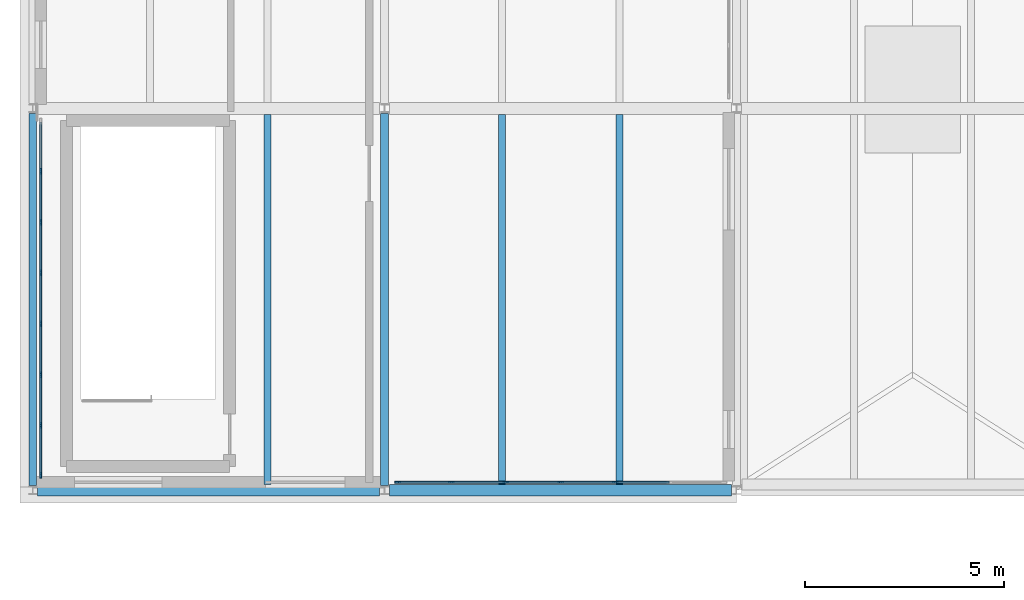
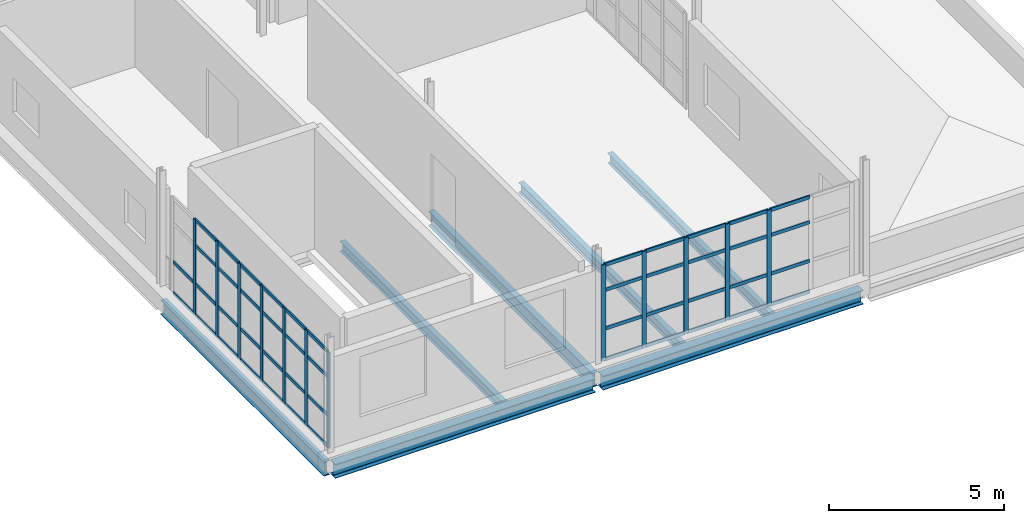
# One storey, part 3 of 16: 58 members, 7 beams, 2 elements without a shape of their own.
"""IFC4 building model written with IfcOpenShell, lengths in metres."""

from ifc_helpers import new_model, si_unit, direction, frame, origin, origin_2d, place, context, subcontext, project, spatial, rectangle, i_section, extrude, material, layer, layer_set, material_profile, profile_set, type_object, element, aggregate, save


model = new_model("IFC4")

# Units and contexts
model_context = context("Model", 3, precision=1e-05, world=origin(), true_north=direction((0.0, 1.0)))
body_context = subcontext(model_context, "Body", "Model", "MODEL_VIEW")
ifc_project = project(units=[si_unit("LENGTHUNIT", "METRE"), si_unit("AREAUNIT", "SQUARE_METRE"), si_unit("VOLUMEUNIT", "CUBIC_METRE"), si_unit("PLANEANGLEUNIT", "RADIAN"), si_unit("MASSUNIT", "GRAM", prefix="KILO")], contexts=[model_context])

# Site, building, storey
site_placement = place(None, origin())
site = spatial("IfcSite", under=ifc_project, at=site_placement, CompositionType="ELEMENT")
building_placement = place(site_placement, origin())
building = spatial("IfcBuilding", under=site, at=building_placement, Name="Yeouljin Market Hall", CompositionType="ELEMENT")
storey_placement = place(building_placement, frame((0.0, 0.0, 19.199951171875)))
storey = spatial("IfcBuildingStorey", under=building, at=storey_placement, Name="L04", CompositionType="ELEMENT", Elevation=19.199951171875)

# Beams
ifc_material_1 = material(Name="Steel SM355", Category="steel")
ifc_material_profile_1 = material_profile(ifc_material_1, i_section(OverallWidth=0.199951171875, OverallDepth=0.5, WebThickness=0.010009765625, FlangeThickness=0.01611328125, FilletRadius=0.02001953125, at=origin_2d()), Name="H-500x200x10x16")
ifc_profile_set_1 = profile_set([ifc_material_profile_1], Name="Steel SM355")
beam_type_1 = type_object("IfcBeamType", Name="Beam_H-500x200x10x16", PredefinedType="BEAM", material=ifc_profile_set_1)
for number, where, z_axis, x_axis, name in (
    (1, (0.0, 0.125, -0.514892578125), (0.0, 1.0, 0.0), (-1.0, 0.0, 0.0), "Primary beam BM-L04-Y027"),
    (2, (8.85009765625, 0.125, -0.514892578125), (0.0, 1.0, 0.0), (-1.0, 0.0, 0.0), "Primary beam BM-L04-Y031"),
):
    element("IfcBeam", number, at=place(storey_placement, frame(where, z_axis=z_axis, x_axis=x_axis)), inside=storey, type_object=beam_type_1, Name=name, PredefinedType="BEAM", context=body_context, shape_type="SweptSolid", body=[
        extrude(i_section(OverallWidth=0.199951171875, OverallDepth=0.5, WebThickness=0.010009765625, FlangeThickness=0.01611328125, FilletRadius=0.02001953125, at=origin_2d()), origin(), (0.0, 0.0, 1.0), 9.35009765625),
    ])

# Curtain wall, members
ifc_material_2 = material(Name="Thermally Broken Aluminium", Category="aluminium")
ifc_layer = layer(ifc_material_2, 0.14990234375)
ifc_layer_set = layer_set([ifc_layer], Name="Thermally Broken Aluminium")
curtain_wall_type = type_object("IfcCurtainWallType", Name="CW_AcademyRibbon_System", PredefinedType="USERDEFINED", material=ifc_layer_set)
curtain_wall_1_placement = place(storey_placement, origin())
curtain_wall_1 = element("IfcCurtainWall", 3, at=curtain_wall_1_placement, inside=storey, type_object=curtain_wall_type, Name="Curtain wall CW-L04-W01", ObjectType="CURTAIN WALL", PredefinedType="USERDEFINED")
ifc_material_3 = material(Name="Thermally Broken Aluminium", Category="aluminium")
ifc_material_profile_2 = material_profile(ifc_material_3, rectangle(XDim=0.048095703125, YDim=0.14990234375, at=origin_2d()), Name="CW-MULL-48x150")
ifc_profile_set_2 = profile_set([ifc_material_profile_2], Name="Thermally Broken Aluminium")
member_type_1 = type_object("IfcMemberType", Name="CWMullion_48x150", PredefinedType="MULLION", material=ifc_profile_set_2)
member_1_placement = place(storey_placement, frame((14.64990234375, 0.199951171875, 0.0), z_axis=(0.0, 0.0, 1.0), x_axis=(0.0, -1.0, 0.0)))
member_1 = element("IfcMember", 4, at=member_1_placement, type_object=member_type_1, Name="CW-05 mullion 3", PredefinedType="MULLION", context=body_context, shape_type="SweptSolid", body=[
    extrude(rectangle(XDim=0.048095703125, YDim=0.14990234375, at=origin_2d()), origin(), (0.0, 0.0, 1.0), 3.35009765625),
])
member_2_placement = place(storey_placement, frame((13.27490234375, 0.199951171875, 0.0), z_axis=(0.0, 0.0, 1.0), x_axis=(0.0, -1.0, 0.0)))
member_2 = element("IfcMember", 5, at=member_2_placement, type_object=member_type_1, Name="CW-05 mullion 4", PredefinedType="MULLION", context=body_context, shape_type="SweptSolid", body=[
    extrude(rectangle(XDim=0.048095703125, YDim=0.14990234375, at=origin_2d()), origin(), (0.0, 0.0, 1.0), 3.35009765625),
])
member_3_placement = place(storey_placement, frame((11.89990234375, 0.199951171875, 0.0), z_axis=(0.0, 0.0, 1.0), x_axis=(0.0, -1.0, 0.0)))
member_3 = element("IfcMember", 6, at=member_3_placement, type_object=member_type_1, Name="CW-05 mullion 5", PredefinedType="MULLION", context=body_context, shape_type="SweptSolid", body=[
    extrude(rectangle(XDim=0.048095703125, YDim=0.14990234375, at=origin_2d()), origin(), (0.0, 0.0, 1.0), 3.35009765625),
])
member_4_placement = place(storey_placement, frame((10.52490234375, 0.199951171875, 0.0), z_axis=(0.0, 0.0, 1.0), x_axis=(0.0, -1.0, 0.0)))
member_4 = element("IfcMember", 7, at=member_4_placement, type_object=member_type_1, Name="CW-05 mullion 6", PredefinedType="MULLION", context=body_context, shape_type="SweptSolid", body=[
    extrude(rectangle(XDim=0.048095703125, YDim=0.14990234375, at=origin_2d()), origin(), (0.0, 0.0, 1.0), 3.35009765625),
])
member_5_placement = place(storey_placement, frame((9.174072265625, 0.199951171875, 0.0), z_axis=(0.0, 0.0, 1.0), x_axis=(0.0, -1.0, 0.0)))
member_5 = element("IfcMember", 8, at=member_5_placement, type_object=member_type_1, Name="CW-05 mullion 7", PredefinedType="MULLION", context=body_context, shape_type="SweptSolid", body=[
    extrude(rectangle(XDim=0.048095703125, YDim=0.14990234375, at=origin_2d()), origin(), (0.0, 0.0, 1.0), 3.35009765625),
])

curtain_wall_2_placement = place(storey_placement, origin())
curtain_wall_2 = element("IfcCurtainWall", 9, at=curtain_wall_2_placement, inside=storey, type_object=curtain_wall_type, Name="Curtain wall CW-L04-W03", ObjectType="CURTAIN WALL", PredefinedType="USERDEFINED")
member_6_placement = place(storey_placement, frame((0.199951171875, 0.3740234375, 0.0), z_axis=(0.0, 0.0, 1.0), x_axis=(-1.0, 0.0, 0.0)))
member_6 = element("IfcMember", 10, at=member_6_placement, type_object=member_type_1, Name="CW-05 mullion 1", PredefinedType="MULLION", context=body_context, shape_type="SweptSolid", body=[
    extrude(rectangle(XDim=0.048095703125, YDim=0.14990234375, at=origin_2d()), origin(), (0.0, 0.0, 1.0), 3.35009765625),
])
member_7_placement = place(storey_placement, frame((0.199951171875, 1.628662109375, 0.0), z_axis=(0.0, 0.0, 1.0), x_axis=(-1.0, 0.0, 0.0)))
member_7 = element("IfcMember", 11, at=member_7_placement, type_object=member_type_1, Name="CW-05 mullion 2", PredefinedType="MULLION", context=body_context, shape_type="SweptSolid", body=[
    extrude(rectangle(XDim=0.048095703125, YDim=0.14990234375, at=origin_2d()), origin(), (0.0, 0.0, 1.0), 3.35009765625),
])
member_8_placement = place(storey_placement, frame((0.199951171875, 2.9072265625, 0.0), z_axis=(0.0, 0.0, 1.0), x_axis=(-1.0, 0.0, 0.0)))
member_8 = element("IfcMember", 12, at=member_8_placement, type_object=member_type_1, Name="CW-05 mullion 3", PredefinedType="MULLION", context=body_context, shape_type="SweptSolid", body=[
    extrude(rectangle(XDim=0.048095703125, YDim=0.14990234375, at=origin_2d()), origin(), (0.0, 0.0, 1.0), 3.35009765625),
])
member_9_placement = place(storey_placement, frame((0.199951171875, 4.185791015625, 0.0), z_axis=(0.0, 0.0, 1.0), x_axis=(-1.0, 0.0, 0.0)))
member_9 = element("IfcMember", 13, at=member_9_placement, type_object=member_type_1, Name="CW-05 mullion 4", PredefinedType="MULLION", context=body_context, shape_type="SweptSolid", body=[
    extrude(rectangle(XDim=0.048095703125, YDim=0.14990234375, at=origin_2d()), origin(), (0.0, 0.0, 1.0), 3.35009765625),
])
member_10_placement = place(storey_placement, frame((0.199951171875, 5.46435546875, 0.0), z_axis=(0.0, 0.0, 1.0), x_axis=(-1.0, 0.0, 0.0)))
member_10 = element("IfcMember", 14, at=member_10_placement, type_object=member_type_1, Name="CW-05 mullion 5", PredefinedType="MULLION", context=body_context, shape_type="SweptSolid", body=[
    extrude(rectangle(XDim=0.048095703125, YDim=0.14990234375, at=origin_2d()), origin(), (0.0, 0.0, 1.0), 3.35009765625),
])
member_11_placement = place(storey_placement, frame((0.199951171875, 6.742919921875, 0.0), z_axis=(0.0, 0.0, 1.0), x_axis=(-1.0, 0.0, 0.0)))
member_11 = element("IfcMember", 15, at=member_11_placement, type_object=member_type_1, Name="CW-05 mullion 6", PredefinedType="MULLION", context=body_context, shape_type="SweptSolid", body=[
    extrude(rectangle(XDim=0.048095703125, YDim=0.14990234375, at=origin_2d()), origin(), (0.0, 0.0, 1.0), 3.35009765625),
])
member_12_placement = place(storey_placement, frame((0.199951171875, 8.021484375, 0.0), z_axis=(0.0, 0.0, 1.0), x_axis=(-1.0, 0.0, 0.0)))
member_12 = element("IfcMember", 16, at=member_12_placement, type_object=member_type_1, Name="CW-05 mullion 7", PredefinedType="MULLION", context=body_context, shape_type="SweptSolid", body=[
    extrude(rectangle(XDim=0.048095703125, YDim=0.14990234375, at=origin_2d()), origin(), (0.0, 0.0, 1.0), 3.35009765625),
])

# Member
ifc_material_4 = material(Name="Thermally Broken Aluminium", Category="aluminium")
ifc_material_profile_3 = material_profile(ifc_material_4, rectangle(XDim=0.048095703125, YDim=0.1201171875, at=origin_2d()), Name="CW-TRAN-48x120")
ifc_profile_set_3 = profile_set([ifc_material_profile_3], Name="Thermally Broken Aluminium")
member_type_2 = type_object("IfcMemberType", Name="CWTransom_48x120", PredefinedType="USERDEFINED", material=ifc_profile_set_3)
member_13_placement = place(storey_placement, frame((16.0009765625, 0.199951171875, 0.024169921875), z_axis=(-1.0, 0.0, 0.0), x_axis=(0.0, -1.0, 0.0)))
member_13 = element("IfcMember", 17, at=member_13_placement, type_object=member_type_2, Name="CW-05 transom 2.1", ObjectType="TRANSOM", PredefinedType="USERDEFINED", context=body_context, shape_type="SweptSolid", body=[
    extrude(rectangle(XDim=0.048095703125, YDim=0.1201171875, at=origin_2d()), origin(), (0.0, 0.0, 1.0), 1.326904296875),
])

member_14_placement = place(storey_placement, frame((16.0009765625, 0.199951171875, 1.10009765625), z_axis=(-1.0, 0.0, 0.0), x_axis=(0.0, -1.0, 0.0)))
member_14 = element("IfcMember", 18, at=member_14_placement, type_object=member_type_2, Name="CW-05 transom 2.2", ObjectType="TRANSOM", PredefinedType="USERDEFINED", context=body_context, shape_type="SweptSolid", body=[
    extrude(rectangle(XDim=0.048095703125, YDim=0.1201171875, at=origin_2d()), origin(), (0.0, 0.0, 1.0), 1.326904296875),
])

member_15_placement = place(storey_placement, frame((16.0009765625, 0.199951171875, 2.449951171875), z_axis=(-1.0, 0.0, 0.0), x_axis=(0.0, -1.0, 0.0)))
member_15 = element("IfcMember", 19, at=member_15_placement, type_object=member_type_2, Name="CW-05 transom 2.3", ObjectType="TRANSOM", PredefinedType="USERDEFINED", context=body_context, shape_type="SweptSolid", body=[
    extrude(rectangle(XDim=0.048095703125, YDim=0.1201171875, at=origin_2d()), origin(), (0.0, 0.0, 1.0), 1.326904296875),
])

member_16_placement = place(storey_placement, frame((16.0009765625, 0.199951171875, 3.325927734375), z_axis=(-1.0, 0.0, 0.0), x_axis=(0.0, -1.0, 0.0)))
member_16 = element("IfcMember", 20, at=member_16_placement, type_object=member_type_2, Name="CW-05 transom 2.4", ObjectType="TRANSOM", PredefinedType="USERDEFINED", context=body_context, shape_type="SweptSolid", body=[
    extrude(rectangle(XDim=0.048095703125, YDim=0.1201171875, at=origin_2d()), origin(), (0.0, 0.0, 1.0), 1.326904296875),
])

member_17_placement = place(storey_placement, frame((14.6259765625, 0.199951171875, 0.024169921875), z_axis=(-1.0, 0.0, 0.0), x_axis=(0.0, -1.0, 0.0)))
member_17 = element("IfcMember", 21, at=member_17_placement, type_object=member_type_2, Name="CW-05 transom 3.1", ObjectType="TRANSOM", PredefinedType="USERDEFINED", context=body_context, shape_type="SweptSolid", body=[
    extrude(rectangle(XDim=0.048095703125, YDim=0.1201171875, at=origin_2d()), origin(), (0.0, 0.0, 1.0), 1.326904296875),
])

member_18_placement = place(storey_placement, frame((14.6259765625, 0.199951171875, 1.10009765625), z_axis=(-1.0, 0.0, 0.0), x_axis=(0.0, -1.0, 0.0)))
member_18 = element("IfcMember", 22, at=member_18_placement, type_object=member_type_2, Name="CW-05 transom 3.2", ObjectType="TRANSOM", PredefinedType="USERDEFINED", context=body_context, shape_type="SweptSolid", body=[
    extrude(rectangle(XDim=0.048095703125, YDim=0.1201171875, at=origin_2d()), origin(), (0.0, 0.0, 1.0), 1.326904296875),
])

member_19_placement = place(storey_placement, frame((14.6259765625, 0.199951171875, 2.449951171875), z_axis=(-1.0, 0.0, 0.0), x_axis=(0.0, -1.0, 0.0)))
member_19 = element("IfcMember", 23, at=member_19_placement, type_object=member_type_2, Name="CW-05 transom 3.3", ObjectType="TRANSOM", PredefinedType="USERDEFINED", context=body_context, shape_type="SweptSolid", body=[
    extrude(rectangle(XDim=0.048095703125, YDim=0.1201171875, at=origin_2d()), origin(), (0.0, 0.0, 1.0), 1.326904296875),
])

member_20_placement = place(storey_placement, frame((14.6259765625, 0.199951171875, 3.325927734375), z_axis=(-1.0, 0.0, 0.0), x_axis=(0.0, -1.0, 0.0)))
member_20 = element("IfcMember", 24, at=member_20_placement, type_object=member_type_2, Name="CW-05 transom 3.4", ObjectType="TRANSOM", PredefinedType="USERDEFINED", context=body_context, shape_type="SweptSolid", body=[
    extrude(rectangle(XDim=0.048095703125, YDim=0.1201171875, at=origin_2d()), origin(), (0.0, 0.0, 1.0), 1.326904296875),
])

member_21_placement = place(storey_placement, frame((13.2509765625, 0.199951171875, 0.024169921875), z_axis=(-1.0, 0.0, 0.0), x_axis=(0.0, -1.0, 0.0)))
member_21 = element("IfcMember", 25, at=member_21_placement, type_object=member_type_2, Name="CW-05 transom 4.1", ObjectType="TRANSOM", PredefinedType="USERDEFINED", context=body_context, shape_type="SweptSolid", body=[
    extrude(rectangle(XDim=0.048095703125, YDim=0.1201171875, at=origin_2d()), origin(), (0.0, 0.0, 1.0), 1.326904296875),
])

member_22_placement = place(storey_placement, frame((13.2509765625, 0.199951171875, 1.10009765625), z_axis=(-1.0, 0.0, 0.0), x_axis=(0.0, -1.0, 0.0)))
member_22 = element("IfcMember", 26, at=member_22_placement, type_object=member_type_2, Name="CW-05 transom 4.2", ObjectType="TRANSOM", PredefinedType="USERDEFINED", context=body_context, shape_type="SweptSolid", body=[
    extrude(rectangle(XDim=0.048095703125, YDim=0.1201171875, at=origin_2d()), origin(), (0.0, 0.0, 1.0), 1.326904296875),
])

member_23_placement = place(storey_placement, frame((13.2509765625, 0.199951171875, 2.449951171875), z_axis=(-1.0, 0.0, 0.0), x_axis=(0.0, -1.0, 0.0)))
member_23 = element("IfcMember", 27, at=member_23_placement, type_object=member_type_2, Name="CW-05 transom 4.3", ObjectType="TRANSOM", PredefinedType="USERDEFINED", context=body_context, shape_type="SweptSolid", body=[
    extrude(rectangle(XDim=0.048095703125, YDim=0.1201171875, at=origin_2d()), origin(), (0.0, 0.0, 1.0), 1.326904296875),
])

member_24_placement = place(storey_placement, frame((13.2509765625, 0.199951171875, 3.325927734375), z_axis=(-1.0, 0.0, 0.0), x_axis=(0.0, -1.0, 0.0)))
member_24 = element("IfcMember", 28, at=member_24_placement, type_object=member_type_2, Name="CW-05 transom 4.4", ObjectType="TRANSOM", PredefinedType="USERDEFINED", context=body_context, shape_type="SweptSolid", body=[
    extrude(rectangle(XDim=0.048095703125, YDim=0.1201171875, at=origin_2d()), origin(), (0.0, 0.0, 1.0), 1.326904296875),
])

member_25_placement = place(storey_placement, frame((11.8759765625, 0.199951171875, 0.024169921875), z_axis=(-1.0, 0.0, 0.0), x_axis=(0.0, -1.0, 0.0)))
member_25 = element("IfcMember", 29, at=member_25_placement, type_object=member_type_2, Name="CW-05 transom 5.1", ObjectType="TRANSOM", PredefinedType="USERDEFINED", context=body_context, shape_type="SweptSolid", body=[
    extrude(rectangle(XDim=0.048095703125, YDim=0.1201171875, at=origin_2d()), origin(), (0.0, 0.0, 1.0), 1.326904296875),
])

member_26_placement = place(storey_placement, frame((11.8759765625, 0.199951171875, 1.10009765625), z_axis=(-1.0, 0.0, 0.0), x_axis=(0.0, -1.0, 0.0)))
member_26 = element("IfcMember", 30, at=member_26_placement, type_object=member_type_2, Name="CW-05 transom 5.2", ObjectType="TRANSOM", PredefinedType="USERDEFINED", context=body_context, shape_type="SweptSolid", body=[
    extrude(rectangle(XDim=0.048095703125, YDim=0.1201171875, at=origin_2d()), origin(), (0.0, 0.0, 1.0), 1.326904296875),
])

member_27_placement = place(storey_placement, frame((11.8759765625, 0.199951171875, 2.449951171875), z_axis=(-1.0, 0.0, 0.0), x_axis=(0.0, -1.0, 0.0)))
member_27 = element("IfcMember", 31, at=member_27_placement, type_object=member_type_2, Name="CW-05 transom 5.3", ObjectType="TRANSOM", PredefinedType="USERDEFINED", context=body_context, shape_type="SweptSolid", body=[
    extrude(rectangle(XDim=0.048095703125, YDim=0.1201171875, at=origin_2d()), origin(), (0.0, 0.0, 1.0), 1.326904296875),
])

member_28_placement = place(storey_placement, frame((11.8759765625, 0.199951171875, 3.325927734375), z_axis=(-1.0, 0.0, 0.0), x_axis=(0.0, -1.0, 0.0)))
member_28 = element("IfcMember", 32, at=member_28_placement, type_object=member_type_2, Name="CW-05 transom 5.4", ObjectType="TRANSOM", PredefinedType="USERDEFINED", context=body_context, shape_type="SweptSolid", body=[
    extrude(rectangle(XDim=0.048095703125, YDim=0.1201171875, at=origin_2d()), origin(), (0.0, 0.0, 1.0), 1.326904296875),
])

member_29_placement = place(storey_placement, frame((10.5009765625, 0.199951171875, 0.024169921875), z_axis=(-1.0, 0.0, 0.0), x_axis=(0.0, -1.0, 0.0)))
member_29 = element("IfcMember", 33, at=member_29_placement, type_object=member_type_2, Name="CW-05 transom 6.1", ObjectType="TRANSOM", PredefinedType="USERDEFINED", context=body_context, shape_type="SweptSolid", body=[
    extrude(rectangle(XDim=0.048095703125, YDim=0.1201171875, at=origin_2d()), origin(), (0.0, 0.0, 1.0), 1.302978515625),
])

member_30_placement = place(storey_placement, frame((10.5009765625, 0.199951171875, 1.10009765625), z_axis=(-1.0, 0.0, 0.0), x_axis=(0.0, -1.0, 0.0)))
member_30 = element("IfcMember", 34, at=member_30_placement, type_object=member_type_2, Name="CW-05 transom 6.2", ObjectType="TRANSOM", PredefinedType="USERDEFINED", context=body_context, shape_type="SweptSolid", body=[
    extrude(rectangle(XDim=0.048095703125, YDim=0.1201171875, at=origin_2d()), origin(), (0.0, 0.0, 1.0), 1.302978515625),
])

member_31_placement = place(storey_placement, frame((10.5009765625, 0.199951171875, 2.449951171875), z_axis=(-1.0, 0.0, 0.0), x_axis=(0.0, -1.0, 0.0)))
member_31 = element("IfcMember", 35, at=member_31_placement, type_object=member_type_2, Name="CW-05 transom 6.3", ObjectType="TRANSOM", PredefinedType="USERDEFINED", context=body_context, shape_type="SweptSolid", body=[
    extrude(rectangle(XDim=0.048095703125, YDim=0.1201171875, at=origin_2d()), origin(), (0.0, 0.0, 1.0), 1.302978515625),
])

member_32_placement = place(storey_placement, frame((10.5009765625, 0.199951171875, 3.325927734375), z_axis=(-1.0, 0.0, 0.0), x_axis=(0.0, -1.0, 0.0)))
member_32 = element("IfcMember", 36, at=member_32_placement, type_object=member_type_2, Name="CW-05 transom 6.4", ObjectType="TRANSOM", PredefinedType="USERDEFINED", context=body_context, shape_type="SweptSolid", body=[
    extrude(rectangle(XDim=0.048095703125, YDim=0.1201171875, at=origin_2d()), origin(), (0.0, 0.0, 1.0), 1.302978515625),
])

aggregate(curtain_wall_1, [member_1, member_2, member_3, member_4, member_5, member_13, member_14, member_15, member_16, member_17, member_18, member_19, member_20, member_21, member_22, member_23, member_24, member_25, member_26, member_27, member_28, member_29, member_30, member_31, member_32])

member_33_placement = place(storey_placement, frame((0.199951171875, 0.39794921875, 0.024169921875), z_axis=(0.0, 1.0, 0.0), x_axis=(-1.0, 0.0, 0.0)))
member_33 = element("IfcMember", 37, at=member_33_placement, type_object=member_type_2, Name="CW-05 transom 1.1", ObjectType="TRANSOM", PredefinedType="USERDEFINED", context=body_context, shape_type="SweptSolid", body=[
    extrude(rectangle(XDim=0.048095703125, YDim=0.1201171875, at=origin_2d()), origin(), (0.0, 0.0, 1.0), 1.20654296875),
])

member_34_placement = place(storey_placement, frame((0.199951171875, 0.39794921875, 1.10009765625), z_axis=(0.0, 1.0, 0.0), x_axis=(-1.0, 0.0, 0.0)))
member_34 = element("IfcMember", 38, at=member_34_placement, type_object=member_type_2, Name="CW-05 transom 1.2", ObjectType="TRANSOM", PredefinedType="USERDEFINED", context=body_context, shape_type="SweptSolid", body=[
    extrude(rectangle(XDim=0.048095703125, YDim=0.1201171875, at=origin_2d()), origin(), (0.0, 0.0, 1.0), 1.20654296875),
])

member_35_placement = place(storey_placement, frame((0.199951171875, 0.39794921875, 2.449951171875), z_axis=(0.0, 1.0, 0.0), x_axis=(-1.0, 0.0, 0.0)))
member_35 = element("IfcMember", 39, at=member_35_placement, type_object=member_type_2, Name="CW-05 transom 1.3", ObjectType="TRANSOM", PredefinedType="USERDEFINED", context=body_context, shape_type="SweptSolid", body=[
    extrude(rectangle(XDim=0.048095703125, YDim=0.1201171875, at=origin_2d()), origin(), (0.0, 0.0, 1.0), 1.20654296875),
])

member_36_placement = place(storey_placement, frame((0.199951171875, 0.39794921875, 3.325927734375), z_axis=(0.0, 1.0, 0.0), x_axis=(-1.0, 0.0, 0.0)))
member_36 = element("IfcMember", 40, at=member_36_placement, type_object=member_type_2, Name="CW-05 transom 1.4", ObjectType="TRANSOM", PredefinedType="USERDEFINED", context=body_context, shape_type="SweptSolid", body=[
    extrude(rectangle(XDim=0.048095703125, YDim=0.1201171875, at=origin_2d()), origin(), (0.0, 0.0, 1.0), 1.20654296875),
])

member_37_placement = place(storey_placement, frame((0.199951171875, 1.652587890625, 0.024169921875), z_axis=(0.0, 1.0, 0.0), x_axis=(-1.0, 0.0, 0.0)))
member_37 = element("IfcMember", 41, at=member_37_placement, type_object=member_type_2, Name="CW-05 transom 2.1", ObjectType="TRANSOM", PredefinedType="USERDEFINED", context=body_context, shape_type="SweptSolid", body=[
    extrude(rectangle(XDim=0.048095703125, YDim=0.1201171875, at=origin_2d()), origin(), (0.0, 0.0, 1.0), 1.23046875),
])

member_38_placement = place(storey_placement, frame((0.199951171875, 1.652587890625, 1.10009765625), z_axis=(0.0, 1.0, 0.0), x_axis=(-1.0, 0.0, 0.0)))
member_38 = element("IfcMember", 42, at=member_38_placement, type_object=member_type_2, Name="CW-05 transom 2.2", ObjectType="TRANSOM", PredefinedType="USERDEFINED", context=body_context, shape_type="SweptSolid", body=[
    extrude(rectangle(XDim=0.048095703125, YDim=0.1201171875, at=origin_2d()), origin(), (0.0, 0.0, 1.0), 1.23046875),
])

member_39_placement = place(storey_placement, frame((0.199951171875, 1.652587890625, 2.449951171875), z_axis=(0.0, 1.0, 0.0), x_axis=(-1.0, 0.0, 0.0)))
member_39 = element("IfcMember", 43, at=member_39_placement, type_object=member_type_2, Name="CW-05 transom 2.3", ObjectType="TRANSOM", PredefinedType="USERDEFINED", context=body_context, shape_type="SweptSolid", body=[
    extrude(rectangle(XDim=0.048095703125, YDim=0.1201171875, at=origin_2d()), origin(), (0.0, 0.0, 1.0), 1.23046875),
])

member_40_placement = place(storey_placement, frame((0.199951171875, 1.652587890625, 3.325927734375), z_axis=(0.0, 1.0, 0.0), x_axis=(-1.0, 0.0, 0.0)))
member_40 = element("IfcMember", 44, at=member_40_placement, type_object=member_type_2, Name="CW-05 transom 2.4", ObjectType="TRANSOM", PredefinedType="USERDEFINED", context=body_context, shape_type="SweptSolid", body=[
    extrude(rectangle(XDim=0.048095703125, YDim=0.1201171875, at=origin_2d()), origin(), (0.0, 0.0, 1.0), 1.23046875),
])

member_41_placement = place(storey_placement, frame((0.199951171875, 2.93115234375, 0.024169921875), z_axis=(0.0, 1.0, 0.0), x_axis=(-1.0, 0.0, 0.0)))
member_41 = element("IfcMember", 45, at=member_41_placement, type_object=member_type_2, Name="CW-05 transom 3.1", ObjectType="TRANSOM", PredefinedType="USERDEFINED", context=body_context, shape_type="SweptSolid", body=[
    extrude(rectangle(XDim=0.048095703125, YDim=0.1201171875, at=origin_2d()), origin(), (0.0, 0.0, 1.0), 1.23046875),
])

member_42_placement = place(storey_placement, frame((0.199951171875, 2.93115234375, 1.10009765625), z_axis=(0.0, 1.0, 0.0), x_axis=(-1.0, 0.0, 0.0)))
member_42 = element("IfcMember", 46, at=member_42_placement, type_object=member_type_2, Name="CW-05 transom 3.2", ObjectType="TRANSOM", PredefinedType="USERDEFINED", context=body_context, shape_type="SweptSolid", body=[
    extrude(rectangle(XDim=0.048095703125, YDim=0.1201171875, at=origin_2d()), origin(), (0.0, 0.0, 1.0), 1.23046875),
])

member_43_placement = place(storey_placement, frame((0.199951171875, 2.93115234375, 2.449951171875), z_axis=(0.0, 1.0, 0.0), x_axis=(-1.0, 0.0, 0.0)))
member_43 = element("IfcMember", 47, at=member_43_placement, type_object=member_type_2, Name="CW-05 transom 3.3", ObjectType="TRANSOM", PredefinedType="USERDEFINED", context=body_context, shape_type="SweptSolid", body=[
    extrude(rectangle(XDim=0.048095703125, YDim=0.1201171875, at=origin_2d()), origin(), (0.0, 0.0, 1.0), 1.23046875),
])

member_44_placement = place(storey_placement, frame((0.199951171875, 2.93115234375, 3.325927734375), z_axis=(0.0, 1.0, 0.0), x_axis=(-1.0, 0.0, 0.0)))
member_44 = element("IfcMember", 48, at=member_44_placement, type_object=member_type_2, Name="CW-05 transom 3.4", ObjectType="TRANSOM", PredefinedType="USERDEFINED", context=body_context, shape_type="SweptSolid", body=[
    extrude(rectangle(XDim=0.048095703125, YDim=0.1201171875, at=origin_2d()), origin(), (0.0, 0.0, 1.0), 1.23046875),
])

member_45_placement = place(storey_placement, frame((0.199951171875, 4.209716796875, 0.024169921875), z_axis=(0.0, 1.0, 0.0), x_axis=(-1.0, 0.0, 0.0)))
member_45 = element("IfcMember", 49, at=member_45_placement, type_object=member_type_2, Name="CW-05 transom 4.1", ObjectType="TRANSOM", PredefinedType="USERDEFINED", context=body_context, shape_type="SweptSolid", body=[
    extrude(rectangle(XDim=0.048095703125, YDim=0.1201171875, at=origin_2d()), origin(), (0.0, 0.0, 1.0), 1.23046875),
])

member_46_placement = place(storey_placement, frame((0.199951171875, 4.209716796875, 1.10009765625), z_axis=(0.0, 1.0, 0.0), x_axis=(-1.0, 0.0, 0.0)))
member_46 = element("IfcMember", 50, at=member_46_placement, type_object=member_type_2, Name="CW-05 transom 4.2", ObjectType="TRANSOM", PredefinedType="USERDEFINED", context=body_context, shape_type="SweptSolid", body=[
    extrude(rectangle(XDim=0.048095703125, YDim=0.1201171875, at=origin_2d()), origin(), (0.0, 0.0, 1.0), 1.23046875),
])

member_47_placement = place(storey_placement, frame((0.199951171875, 4.209716796875, 2.449951171875), z_axis=(0.0, 1.0, 0.0), x_axis=(-1.0, 0.0, 0.0)))
member_47 = element("IfcMember", 51, at=member_47_placement, type_object=member_type_2, Name="CW-05 transom 4.3", ObjectType="TRANSOM", PredefinedType="USERDEFINED", context=body_context, shape_type="SweptSolid", body=[
    extrude(rectangle(XDim=0.048095703125, YDim=0.1201171875, at=origin_2d()), origin(), (0.0, 0.0, 1.0), 1.23046875),
])

member_48_placement = place(storey_placement, frame((0.199951171875, 4.209716796875, 3.325927734375), z_axis=(0.0, 1.0, 0.0), x_axis=(-1.0, 0.0, 0.0)))
member_48 = element("IfcMember", 52, at=member_48_placement, type_object=member_type_2, Name="CW-05 transom 4.4", ObjectType="TRANSOM", PredefinedType="USERDEFINED", context=body_context, shape_type="SweptSolid", body=[
    extrude(rectangle(XDim=0.048095703125, YDim=0.1201171875, at=origin_2d()), origin(), (0.0, 0.0, 1.0), 1.23046875),
])

member_49_placement = place(storey_placement, frame((0.199951171875, 5.48828125, 0.024169921875), z_axis=(0.0, 1.0, 0.0), x_axis=(-1.0, 0.0, 0.0)))
member_49 = element("IfcMember", 53, at=member_49_placement, type_object=member_type_2, Name="CW-05 transom 5.1", ObjectType="TRANSOM", PredefinedType="USERDEFINED", context=body_context, shape_type="SweptSolid", body=[
    extrude(rectangle(XDim=0.048095703125, YDim=0.1201171875, at=origin_2d()), origin(), (0.0, 0.0, 1.0), 1.23046875),
])

member_50_placement = place(storey_placement, frame((0.199951171875, 5.48828125, 1.10009765625), z_axis=(0.0, 1.0, 0.0), x_axis=(-1.0, 0.0, 0.0)))
member_50 = element("IfcMember", 54, at=member_50_placement, type_object=member_type_2, Name="CW-05 transom 5.2", ObjectType="TRANSOM", PredefinedType="USERDEFINED", context=body_context, shape_type="SweptSolid", body=[
    extrude(rectangle(XDim=0.048095703125, YDim=0.1201171875, at=origin_2d()), origin(), (0.0, 0.0, 1.0), 1.23046875),
])

member_51_placement = place(storey_placement, frame((0.199951171875, 5.48828125, 2.449951171875), z_axis=(0.0, 1.0, 0.0), x_axis=(-1.0, 0.0, 0.0)))
member_51 = element("IfcMember", 55, at=member_51_placement, type_object=member_type_2, Name="CW-05 transom 5.3", ObjectType="TRANSOM", PredefinedType="USERDEFINED", context=body_context, shape_type="SweptSolid", body=[
    extrude(rectangle(XDim=0.048095703125, YDim=0.1201171875, at=origin_2d()), origin(), (0.0, 0.0, 1.0), 1.23046875),
])

member_52_placement = place(storey_placement, frame((0.199951171875, 5.48828125, 3.325927734375), z_axis=(0.0, 1.0, 0.0), x_axis=(-1.0, 0.0, 0.0)))
member_52 = element("IfcMember", 56, at=member_52_placement, type_object=member_type_2, Name="CW-05 transom 5.4", ObjectType="TRANSOM", PredefinedType="USERDEFINED", context=body_context, shape_type="SweptSolid", body=[
    extrude(rectangle(XDim=0.048095703125, YDim=0.1201171875, at=origin_2d()), origin(), (0.0, 0.0, 1.0), 1.23046875),
])

member_53_placement = place(storey_placement, frame((0.199951171875, 6.766845703125, 0.024169921875), z_axis=(0.0, 1.0, 0.0), x_axis=(-1.0, 0.0, 0.0)))
member_53 = element("IfcMember", 57, at=member_53_placement, type_object=member_type_2, Name="CW-05 transom 6.1", ObjectType="TRANSOM", PredefinedType="USERDEFINED", context=body_context, shape_type="SweptSolid", body=[
    extrude(rectangle(XDim=0.048095703125, YDim=0.1201171875, at=origin_2d()), origin(), (0.0, 0.0, 1.0), 1.23046875),
])

member_54_placement = place(storey_placement, frame((0.199951171875, 6.766845703125, 1.10009765625), z_axis=(0.0, 1.0, 0.0), x_axis=(-1.0, 0.0, 0.0)))
member_54 = element("IfcMember", 58, at=member_54_placement, type_object=member_type_2, Name="CW-05 transom 6.2", ObjectType="TRANSOM", PredefinedType="USERDEFINED", context=body_context, shape_type="SweptSolid", body=[
    extrude(rectangle(XDim=0.048095703125, YDim=0.1201171875, at=origin_2d()), origin(), (0.0, 0.0, 1.0), 1.23046875),
])

member_55_placement = place(storey_placement, frame((0.199951171875, 6.766845703125, 2.449951171875), z_axis=(0.0, 1.0, 0.0), x_axis=(-1.0, 0.0, 0.0)))
member_55 = element("IfcMember", 59, at=member_55_placement, type_object=member_type_2, Name="CW-05 transom 6.3", ObjectType="TRANSOM", PredefinedType="USERDEFINED", context=body_context, shape_type="SweptSolid", body=[
    extrude(rectangle(XDim=0.048095703125, YDim=0.1201171875, at=origin_2d()), origin(), (0.0, 0.0, 1.0), 1.23046875),
])

member_56_placement = place(storey_placement, frame((0.199951171875, 6.766845703125, 3.325927734375), z_axis=(0.0, 1.0, 0.0), x_axis=(-1.0, 0.0, 0.0)))
member_56 = element("IfcMember", 60, at=member_56_placement, type_object=member_type_2, Name="CW-05 transom 6.4", ObjectType="TRANSOM", PredefinedType="USERDEFINED", context=body_context, shape_type="SweptSolid", body=[
    extrude(rectangle(XDim=0.048095703125, YDim=0.1201171875, at=origin_2d()), origin(), (0.0, 0.0, 1.0), 1.23046875),
])

member_57_placement = place(storey_placement, frame((0.199951171875, 8.04541015625, 0.024169921875), z_axis=(0.0, 1.0, 0.0), x_axis=(-1.0, 0.0, 0.0)))
member_57 = element("IfcMember", 61, at=member_57_placement, type_object=member_type_2, Name="CW-05 transom 7.1", ObjectType="TRANSOM", PredefinedType="USERDEFINED", context=body_context, shape_type="SweptSolid", body=[
    extrude(rectangle(XDim=0.048095703125, YDim=0.1201171875, at=origin_2d()), origin(), (0.0, 0.0, 1.0), 1.20654296875),
])

member_58_placement = place(storey_placement, frame((0.199951171875, 8.04541015625, 1.10009765625), z_axis=(0.0, 1.0, 0.0), x_axis=(-1.0, 0.0, 0.0)))
member_58 = element("IfcMember", 62, at=member_58_placement, type_object=member_type_2, Name="CW-05 transom 7.2", ObjectType="TRANSOM", PredefinedType="USERDEFINED", context=body_context, shape_type="SweptSolid", body=[
    extrude(rectangle(XDim=0.048095703125, YDim=0.1201171875, at=origin_2d()), origin(), (0.0, 0.0, 1.0), 1.20654296875),
])

aggregate(curtain_wall_2, [member_6, member_7, member_8, member_9, member_10, member_11, member_12, member_33, member_34, member_35, member_36, member_37, member_38, member_39, member_40, member_41, member_42, member_43, member_44, member_45, member_46, member_47, member_48, member_49, member_50, member_51, member_52, member_53, member_54, member_55, member_56, member_57, member_58])

# Beams
ifc_material_5 = material(Name="Steel SM355", Category="steel")
ifc_material_profile_4 = material_profile(ifc_material_5, i_section(OverallWidth=0.300048828125, OverallDepth=0.488037109375, WebThickness=0.010986328125, FlangeThickness=0.01806640625, FilletRadius=0.02197265625, at=origin_2d()), Name="H-488x300x11x18")
ifc_profile_set_4 = profile_set([ifc_material_profile_4], Name="Steel SM355")
beam_type_2 = type_object("IfcBeamType", Name="Girder_H-488x300x11x18", PredefinedType="USERDEFINED", material=ifc_profile_set_4)
beam_1_placement = place(storey_placement, frame((0.125, 0.0, -0.509033203125), z_axis=(1.0, 0.0, 0.0), x_axis=(0.0, 1.0, 0.0)))
element("IfcBeam", 63, at=beam_1_placement, inside=storey, type_object=beam_type_2, Name="Primary girder GRD-L04-X001", ObjectType="GIRDER", PredefinedType="USERDEFINED", context=body_context, shape_type="SweptSolid", body=[
    extrude(i_section(OverallWidth=0.300048828125, OverallDepth=0.488037109375, WebThickness=0.010986328125, FlangeThickness=0.01806640625, FilletRadius=0.02197265625, at=origin_2d()), origin(), (0.0, 0.0, 1.0), 8.60009765625),
])
beam_2_placement = place(storey_placement, frame((8.97509765625, 0.0, -0.52392578125), z_axis=(1.0, 0.0, 0.0), x_axis=(0.0, 1.0, 0.0)))
element("IfcBeam", 64, at=beam_2_placement, inside=storey, type_object=beam_type_2, Name="Primary girder GRD-L04-X002", ObjectType="GIRDER", PredefinedType="USERDEFINED", context=body_context, shape_type="SweptSolid", body=[
    extrude(i_section(OverallWidth=0.300048828125, OverallDepth=0.488037109375, WebThickness=0.010986328125, FlangeThickness=0.01806640625, FilletRadius=0.02197265625, at=origin_2d()), origin(), (0.0, 0.0, 1.0), 8.599853515625),
])
ifc_material_6 = material(Name="Steel SM355", Category="steel")
ifc_material_profile_5 = material_profile(ifc_material_6, i_section(OverallWidth=0.175048828125, OverallDepth=0.35009765625, WebThickness=0.007080078125, FlangeThickness=0.010986328125, FilletRadius=0.013916015625, at=origin_2d()), Name="H-350x175x7x11")
ifc_profile_set_5 = profile_set([ifc_material_profile_5], Name="Steel SM355")
beam_type_3 = type_object("IfcBeamType", Name="Joist_H-350x175x7x11", PredefinedType="JOIST", material=ifc_profile_set_5)
for number, where, z_axis, x_axis, name in (
    (65, (5.89990234375, 0.14697265625, -0.43994140625), (0.0, 1.0, 0.0), (-1.0, 0.0, 0.0), "Secondary floor joist L04-001"),
    (66, (11.800048828125, 0.14697265625, -0.454833984375), (0.0, 1.0, 0.0), (-1.0, 0.0, 0.0), "Secondary floor joist L04-008"),
    (67, (14.75, 0.14697265625, -0.454833984375), (0.0, 1.0, 0.0), (-1.0, 0.0, 0.0), "Secondary floor joist L04-009"),
):
    element("IfcBeam", number, at=place(storey_placement, frame(where, z_axis=z_axis, x_axis=x_axis)), inside=storey, type_object=beam_type_3, Name=name, PredefinedType="JOIST", context=body_context, shape_type="SweptSolid", body=[
        extrude(i_section(OverallWidth=0.175048828125, OverallDepth=0.35009765625, WebThickness=0.007080078125, FlangeThickness=0.010986328125, FilletRadius=0.013916015625, at=origin_2d()), origin(), (0.0, 0.0, 1.0), 9.305908203125),
    ])

save(model, "model.ifc")
